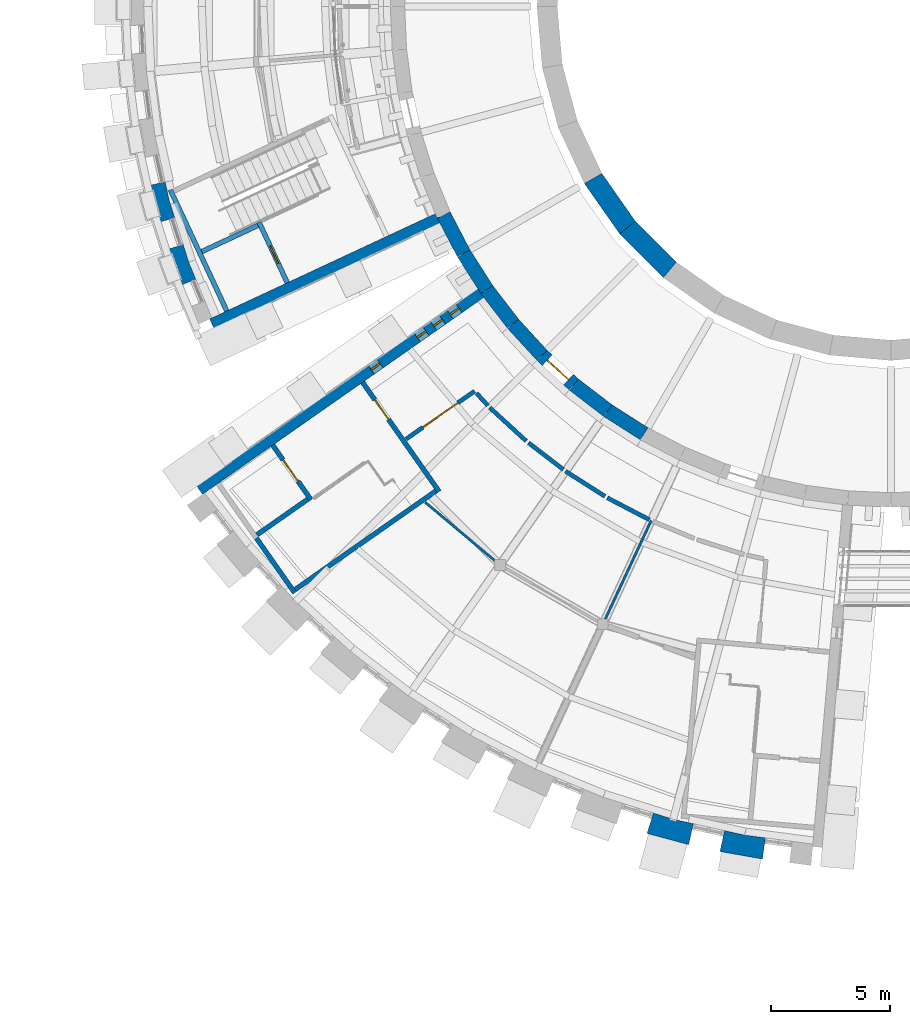
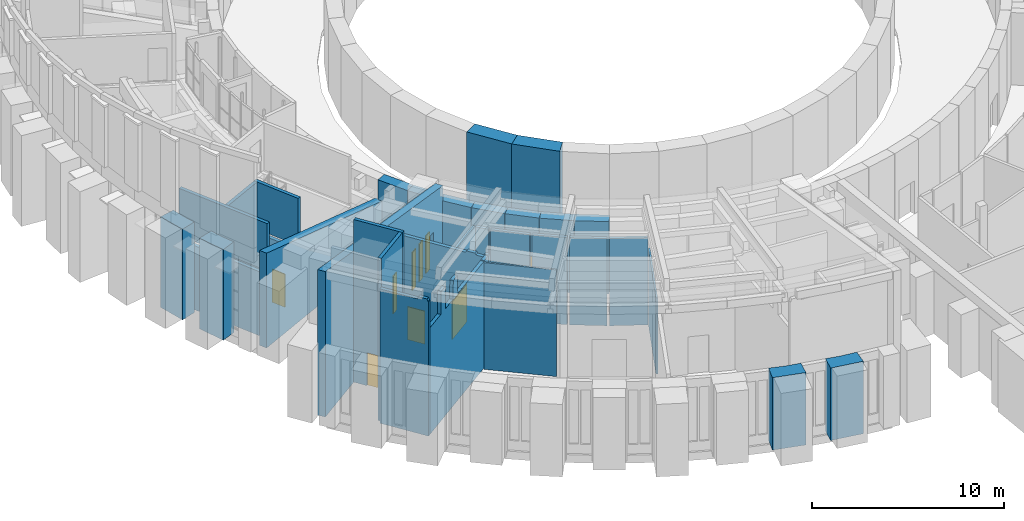
# One storey, part 37 of 66: 34 walls, 5 doors, 4 windows, 9 openings.
"""IFC4 building model written with IfcOpenShell, lengths in metres."""

from ifc_helpers import new_model, si_unit, direction, frame, frame_2d, origin, place, context, subcontext, project, spatial, polyline, rectangle, outline, extrude, material, layer, layer_set, type_object, element, fill, save


model = new_model("IFC4")

# Units and contexts
model_context = context("Model", 3, precision=1e-05, world=origin(), true_north=direction((0.0, 1.0)))
body_context = subcontext(model_context, "Body", "Model", "MODEL_VIEW")
ifc_project = project(units=[si_unit("LENGTHUNIT", "METRE"), si_unit("AREAUNIT", "SQUARE_METRE"), si_unit("VOLUMEUNIT", "CUBIC_METRE"), si_unit("PLANEANGLEUNIT", "RADIAN"), si_unit("MASSUNIT", "GRAM", prefix="KILO")], contexts=[model_context])

# Site, building, storey
site_placement = place(None, origin())
site = spatial("IfcSite", under=ifc_project, at=site_placement, CompositionType="ELEMENT")
building_placement = place(site_placement, origin())
building = spatial("IfcBuilding", under=site, at=building_placement, Name="Volute Hill Aquarium", CompositionType="ELEMENT")
storey_placement = place(building_placement, frame((0.0, 0.0, 4.60009765625)))
storey = spatial("IfcBuildingStorey", under=building, at=storey_placement, Name="L02", CompositionType="ELEMENT", Elevation=4.60009765625)

# Walls
ifc_material_1 = material(Name="Concrete C30/37", Category="concrete")
ifc_layer_1 = layer(ifc_material_1, 0.199951171875)
ifc_layer_set_1 = layer_set([ifc_layer_1], Name="Core wall 200 REI 60")
wall_type_1 = type_object("IfcWallType", Name="Core wall 200 REI 60", PredefinedType="SHEAR", material=ifc_layer_set_1)
wall_1_placement = place(storey_placement, frame((-27.86279296875, -12.77197265625, 0.0), z_axis=(0.0, 0.0, 1.0), x_axis=(-0.422632457081, 0.906301167505, 0.0)))
element("IfcWall", 1, at=wall_1_placement, inside=storey, type_object=wall_type_1, Name="wc/S1-B/L02/out", PredefinedType="SHEAR", context=body_context, shape_type="SweptSolid", body=[
    extrude(rectangle(XDim=5.599853515625, YDim=0.199951171875, at=frame_2d((2.7998046875, 0.0))), origin(), (0.0, 0.0, 1.0), 4.06982421875),
])
wall_2_placement = place(storey_placement, frame((-27.86279296875, -12.77197265625, 4.31982421875), z_axis=(0.0, 0.0, 1.0), x_axis=(-0.422632457081, 0.906301167505, 0.0)))
element("IfcWall", 2, at=wall_2_placement, inside=storey, type_object=wall_type_1, Name="wc/S1-B/L02/out-h", PredefinedType="SHEAR", context=body_context, shape_type="SweptSolid", body=[
    extrude(rectangle(XDim=5.599853515625, YDim=0.199951171875, at=frame_2d((2.7998046875, 0.0))), origin(), (0.0, 0.0, 1.0), 3.0),
])

# Wall, opening, door
wall_3_placement = place(storey_placement, frame((-22.166259765625, -15.76513671875, 0.0), z_axis=(0.0, 0.0, 1.0), x_axis=(0.573599855614, -0.819135645446, 0.0)))
wall_3 = element("IfcWall", 3, at=wall_3_placement, inside=storey, type_object=wall_type_1, Name="wc/S2-A/L02/in", PredefinedType="SHEAR", context=body_context, shape_type="SweptSolid", body=[
    extrude(outline(polyline([(0.0, 0.0), (5.60009765625, 0.0), (5.60009765625, 6.599609375), (5.550048828125, 6.79541015625), (5.349853515625, 6.79541015625), (5.2998046875, 6.599609375), (4.87841796875, 6.599609375), (4.82861328125, 6.701171875), (4.32861328125, 6.701171875), (4.278564453125, 6.599609375), (0.0, 6.599609375), (0.0, 0.0)])), frame((0.0, 0.10009765625, 0.0), z_axis=(0.0, -1.0, 0.0), x_axis=(1.0, 0.0, 0.0)), (0.0, 0.0, 1.0), 0.199951171875),
])
opening_1_placement = place(wall_3_placement, frame((0.89990234375, 0.0, 0.0)))
opening_1 = element("IfcOpeningElement", 4, at=opening_1_placement, cuts=wall_3, Name="Opening D2.02.AS", PredefinedType="OPENING", context=body_context, shape_type="SweptSolid", body=[
    extrude(rectangle(XDim=1.0, YDim=2.10009765625, at=frame_2d((0.5, 1.050048828125))), frame((0.0, 0.10986328125, 0.0), z_axis=(0.0, -1.0, 0.0), x_axis=(1.0, 0.0, 0.0)), (0.0, 0.0, 1.0), 0.219970703125),
])
ifc_material_2 = material(Name="Timber, fire-rated", Category="wood")
door_type_1 = type_object("IfcDoorType", Name="Door 1000 x 2100 single EI1 30", OperationType="SINGLE_SWING_LEFT", PredefinedType="DOOR", material=ifc_material_2)
door_1_placement = place(opening_1_placement, origin())
door_1 = element("IfcDoor", 5, at=door_1_placement, inside=storey, type_object=door_type_1, Name="d/S2-A/L02/st", OperationType="SINGLE_SWING_RIGHT", OverallHeight=2.10009765625, OverallWidth=1.0, PredefinedType="DOOR", context=body_context, shape_type="SweptSolid", body=[
    extrude(rectangle(XDim=1.0, YDim=2.10009765625, at=frame_2d((0.5, 1.050048828125))), frame((0.0, 0.02490234375, 0.0), z_axis=(0.0, -1.0, 0.0), x_axis=(1.0, 0.0, 0.0)), (0.0, 0.0, 1.0), 0.050048828125),
])
fill(opening_1, door_1)

# Walls
wall_4_placement = place(storey_placement, frame((-19.093505859375, -20.327880859375, 0.0), z_axis=(0.0, 0.0, 1.0), x_axis=(-0.819161821637, -0.573562472597, 0.0)))
element("IfcWall", 6, at=wall_4_placement, inside=storey, type_object=wall_type_1, Name="wc/S2-A/L02/side", PredefinedType="SHEAR", context=body_context, shape_type="SweptSolid", body=[
    extrude(outline(polyline([(0.0, 0.0), (7.199951171875, 0.0), (7.199951171875, 6.7763671875), (5.8935546875, 6.7763671875), (5.843505859375, 8.213623046875), (5.343505859375, 8.213623046875), (5.293701171875, 6.7763671875), (4.397216796875, 6.7763671875), (4.34716796875, 7.956787109375), (3.84716796875, 7.956787109375), (3.797119140625, 6.7763671875), (0.577392578125, 6.7763671875), (0.52734375, 6.79541015625), (0.050048828125, 6.79541015625), (0.0, 6.7763671875), (0.0, 0.0)])), frame((0.0, 0.10009765625, 0.0), z_axis=(0.0, -1.0, 0.0), x_axis=(1.0, 0.0, 0.0)), (0.0, 0.0, 1.0), 0.199951171875),
])
wall_5_placement = place(storey_placement, frame((-26.621826171875, -22.30322265625, 0.0), z_axis=(0.0, 0.0, 1.0), x_axis=(0.573591086599, -0.819141785879, 0.0)))
element("IfcWall", 7, at=wall_5_placement, inside=storey, type_object=wall_type_1, Name="wc/S2-A/L02/out-b", PredefinedType="SHEAR", context=body_context, shape_type="SweptSolid", body=[
    extrude(outline(polyline([(0.0, 0.0), (2.7998046875, 0.0), (2.800048828125, 8.53515625), (2.7646484375, 8.53515625), (2.714599609375, 8.6865234375), (2.214599609375, 8.6865234375), (2.164794921875, 8.53515625), (0.0, 8.53515625), (0.0, 0.0)])), frame((0.0, 0.10009765625, 0.0), z_axis=(0.0, -1.0, 0.0), x_axis=(1.0, 0.0, 0.0)), (0.0, 0.0, 1.0), 0.199951171875),
])

# Wall, opening, door
ifc_material_3 = material(Name="Gypsum board on steel studs", Category="steel")
ifc_layer_2 = layer(ifc_material_3, 0.175048828125)
ifc_layer_set_2 = layer_set([ifc_layer_2], Name="Corridor partition 175 EI 60")
wall_type_2 = type_object("IfcWallType", Name="Corridor partition 175 EI 60", PredefinedType="PARTITIONING", material=ifc_layer_set_2)
wall_6_placement = place(storey_placement, frame((-17.464599609375, -16.135498046875, 0.0), z_axis=(0.0, 0.0, 1.0), x_axis=(-0.819192694316, -0.573518377717, 0.0)))
wall_6 = element("IfcWall", 8, at=wall_6_placement, inside=storey, type_object=wall_type_2, Name="pw/S2/L02/006", PredefinedType="PARTITIONING", context=body_context, shape_type="SweptSolid", body=[
    extrude(rectangle(XDim=3.509033203125, YDim=0.175048828125, at=frame_2d((1.75439453125, 0.0))), origin(), (0.0, 0.0, 1.0), 5.552001953125),
])
opening_2_placement = place(wall_6_placement, frame((0.8544921875, 0.0, 0.0)))
opening_2 = element("IfcOpeningElement", 9, at=opening_2_placement, cuts=wall_6, Name="Opening D2.02.01", PredefinedType="OPENING", context=body_context, shape_type="SweptSolid", body=[
    extrude(rectangle(XDim=1.800048828125, YDim=2.39990234375, at=frame_2d((0.89990234375, 1.199951171875))), frame((0.0, 0.097412109375, 0.0), z_axis=(0.0, -1.0, 0.0), x_axis=(1.0, 0.0, 0.0)), (0.0, 0.0, 1.0), 0.195068359375),
])
ifc_material_4 = material(Name="Timber, fire-rated", Category="wood")
door_type_2 = type_object("IfcDoorType", Name="Door 1800 x 2400 gallery double EI1 30", OperationType="DOUBLE_DOOR_SINGLE_SWING", PredefinedType="DOOR", material=ifc_material_4)
door_2_placement = place(opening_2_placement, origin())
door_2 = element("IfcDoor", 10, at=door_2_placement, inside=storey, type_object=door_type_2, Name="d/S2/L02/01", OperationType="SINGLE_SWING_LEFT", OverallHeight=2.39990234375, OverallWidth=1.800048828125, PredefinedType="DOOR", context=body_context, shape_type="SweptSolid", body=[
    extrude(rectangle(XDim=1.800048828125, YDim=2.39990234375, at=frame_2d((0.89990234375, 1.199951171875))), frame((0.0, 0.02490234375, 0.0), z_axis=(0.0, -1.0, 0.0), x_axis=(1.0, 0.0, 0.0)), (0.0, 0.0, 1.0), 0.050048828125),
])
fill(opening_2, door_2)

# Walls
wall_7_placement = place(storey_placement, frame((-15.29833984375, -18.23193359375, 0.0), z_axis=(0.0, 0.0, 1.0), x_axis=(-0.737241988031, 0.675628782013, 0.0)))
element("IfcWall", 11, at=wall_7_placement, inside=storey, type_object=wall_type_2, Name="pw/S2/L02/008", PredefinedType="PARTITIONING", context=body_context, shape_type="SweptSolid", body=[
    extrude(rectangle(XDim=2.076416015625, YDim=0.175048828125, at=frame_2d((1.0380859375, 0.0))), origin(), (0.0, 0.0, 1.0), 5.54150390625),
])
wall_8_placement = place(storey_placement, frame((-10.129150390625, -21.533203125, 0.0), z_axis=(0.0, 0.0, 1.0), x_axis=(-0.886994444557, 0.461780094119, 0.0)))
element("IfcWall", 12, at=wall_8_placement, inside=storey, type_object=wall_type_2, Name="pw/S2/L02/009", PredefinedType="PARTITIONING", context=body_context, shape_type="SweptSolid", body=[
    extrude(rectangle(XDim=1.996337890625, YDim=0.175048828125, at=frame_2d((0.998046875, 0.0))), origin(), (0.0, 0.0, 1.0), 5.54248046875),
])
wall_9_placement = place(storey_placement, frame((-11.9990234375, -20.54833984375, 0.0), z_axis=(0.0, 0.0, 1.0), x_axis=(-0.843394521309, 0.537294780754, 0.0)))
element("IfcWall", 13, at=wall_9_placement, inside=storey, type_object=wall_type_2, Name="pw/S2/L02/011", PredefinedType="PARTITIONING", context=body_context, shape_type="SweptSolid", body=[
    extrude(rectangle(XDim=1.958984375, YDim=0.175048828125, at=frame_2d((0.9794921875, 0.0))), origin(), (0.0, 0.0, 1.0), 5.54150390625),
])
wall_10_placement = place(storey_placement, frame((-13.744384765625, -19.42431640625, 0.0), z_axis=(0.0, 0.0, 1.0), x_axis=(-0.793348048489, 0.608768325357, 0.0)))
element("IfcWall", 14, at=wall_10_placement, inside=storey, type_object=wall_type_2, Name="pw/S2/L02/013", PredefinedType="PARTITIONING", context=body_context, shape_type="SweptSolid", body=[
    extrude(rectangle(XDim=1.841064453125, YDim=0.175048828125, at=frame_2d((0.92041015625, 0.0))), origin(), (0.0, 0.0, 1.0), 5.54296875),
])
wall_11_placement = place(storey_placement, frame((-16.908447265625, -16.742431640625, 0.0), z_axis=(0.0, 0.0, 1.0), x_axis=(-0.675834256002, 0.737053633337, 0.0)))
element("IfcWall", 15, at=wall_11_placement, inside=storey, type_object=wall_type_2, Name="pw/S2/L02/015", PredefinedType="PARTITIONING", context=body_context, shape_type="SweptSolid", body=[
    extrude(rectangle(XDim=0.705810546875, YDim=0.175048828125, at=frame_2d((0.35302734375, 0.0))), origin(), (0.0, 0.0, 1.0), 5.542724609375),
])
ifc_material_5 = material(Name="Concrete C35/45", Category="concrete")
ifc_layer_3 = layer(ifc_material_5, 0.60009765625)
ifc_layer_set_3 = layer_set([ifc_layer_3], Name="Drum wall C35/45 600")
wall_type_3 = type_object("IfcWallType", Name="Drum wall C35/45 600", PredefinedType="SHEAR", material=ifc_layer_set_3)
for number, where, z_axis, x_axis, name in (
    (16, (-18.760498046875, -8.748291015625, 0.0), (0.0, 0.0, 1.0), (0.461701764231, -0.887035219654, 0.0), "sw/DR/L02/41"),
    (17, (-17.9267578125, -10.35009765625, 0.0), (0.0, 0.0, 1.0), (0.537391510251, -0.843332890803, 0.0), "sw/DR/L02/42"),
):
    element("IfcWall", number, at=place(storey_placement, frame(where, z_axis=z_axis, x_axis=x_axis)), inside=storey, type_object=wall_type_3, Name=name, PredefinedType="SHEAR", context=body_context, shape_type="SweptSolid", body=[
        extrude(rectangle(XDim=1.805908203125, YDim=0.60009765625, at=frame_2d((0.90283203125, 0.0))), origin(), (0.0, 0.0, 1.0), 4.599853515625),
    ])
wall_12_placement = place(storey_placement, frame((-16.956298828125, -11.873046875, 0.0), z_axis=(0.0, 0.0, 1.0), x_axis=(0.608704004289, -0.793397400526, 0.0)))
element("IfcWall", 18, at=wall_12_placement, inside=storey, type_object=wall_type_3, Name="sw/DR/L02/43", PredefinedType="SHEAR", context=body_context, shape_type="SweptSolid", body=[
    extrude(rectangle(XDim=1.8056640625, YDim=0.60009765625, at=frame_2d((0.90283203125, 0.0))), origin(), (0.0, 0.0, 1.0), 4.599853515625),
])
wall_13_placement = place(storey_placement, frame((-15.857177734375, -13.3056640625, 0.0), z_axis=(0.0, 0.0, 1.0), x_axis=(0.675540954152, -0.737322466268, 0.0)))
element("IfcWall", 19, at=wall_13_placement, inside=storey, type_object=wall_type_3, Name="sw/DR/L02/44", PredefinedType="SHEAR", context=body_context, shape_type="SweptSolid", body=[
    extrude(rectangle(XDim=1.805908203125, YDim=0.60009765625, at=frame_2d((0.90283203125, 0.0))), origin(), (0.0, 0.0, 1.0), 4.599853515625),
])

# Wall, opening, door
wall_14_placement = place(storey_placement, frame((-14.63720703125, -14.63720703125, 0.0), z_axis=(0.0, 0.0, 1.0), x_axis=(0.737322466268, -0.675540954152, 0.0)))
wall_14 = element("IfcWall", 20, at=wall_14_placement, inside=storey, type_object=wall_type_3, Name="sw/DR/L02/45", PredefinedType="SHEAR", context=body_context, shape_type="SweptSolid", body=[
    extrude(rectangle(XDim=1.805908203125, YDim=0.60009765625, at=frame_2d((0.90283203125, 0.0))), origin(), (0.0, 0.0, 1.0), 4.599853515625),
])
opening_3_placement = place(wall_14_placement, frame((0.302978515625, 0.0, 0.0)))
opening_3 = element("IfcOpeningElement", 21, at=opening_3_placement, cuts=wall_14, Name="Opening D2.02.R1", PredefinedType="OPENING", context=body_context, shape_type="SweptSolid", body=[
    extrude(rectangle(XDim=1.199951171875, YDim=2.10009765625, at=frame_2d((0.60009765625, 1.050048828125))), frame((0.0, 0.31005859375, 0.0), z_axis=(0.0, -1.0, 0.0), x_axis=(1.0, 0.0, 0.0)), (0.0, 0.0, 1.0), 0.6201171875),
])
ifc_material_6 = material(Name="Timber", Category="wood")
door_type_3 = type_object("IfcDoorType", Name="Door 1200 x 2100 drum double", OperationType="DOUBLE_DOOR_SINGLE_SWING", PredefinedType="DOOR", material=ifc_material_6)
door_3_placement = place(opening_3_placement, origin())
door_3 = element("IfcDoor", 22, at=door_3_placement, inside=storey, type_object=door_type_3, Name="d/S2/L02/dr1", OperationType="SINGLE_SWING_LEFT", OverallHeight=2.10009765625, OverallWidth=1.199951171875, PredefinedType="DOOR", context=body_context, shape_type="SweptSolid", body=[
    extrude(rectangle(XDim=1.199951171875, YDim=2.10009765625, at=frame_2d((0.60009765625, 1.050048828125))), frame((0.0, 0.02490234375, 0.0), z_axis=(0.0, -1.0, 0.0), x_axis=(1.0, 0.0, 0.0)), (0.0, 0.0, 1.0), 0.050048828125),
])
fill(opening_3, door_3)

# Walls
wall_15_placement = place(storey_placement, frame((-13.3056640625, -15.857177734375, 0.0), z_axis=(0.0, 0.0, 1.0), x_axis=(0.793397400526, -0.608704004289, 0.0)))
element("IfcWall", 23, at=wall_15_placement, inside=storey, type_object=wall_type_3, Name="sw/DR/L02/46", PredefinedType="SHEAR", context=body_context, shape_type="SweptSolid", body=[
    extrude(rectangle(XDim=1.8056640625, YDim=0.60009765625, at=frame_2d((0.90283203125, 0.0))), origin(), (0.0, 0.0, 1.0), 4.599853515625),
])
wall_16_placement = place(storey_placement, frame((-11.873046875, -16.956298828125, 0.0), z_axis=(0.0, 0.0, 1.0), x_axis=(0.843332890803, -0.537391510251, 0.0)))
element("IfcWall", 24, at=wall_16_placement, inside=storey, type_object=wall_type_3, Name="sw/DR/L02/47", PredefinedType="SHEAR", context=body_context, shape_type="SweptSolid", body=[
    extrude(rectangle(XDim=1.805908203125, YDim=0.60009765625, at=frame_2d((0.90283203125, 0.0))), origin(), (0.0, 0.0, 1.0), 4.599853515625),
])
ifc_material_7 = material(Name="Concrete C35/45", Category="concrete")
ifc_layer_4 = layer(ifc_material_7, 0.449951171875)
ifc_layer_set_4 = layer_set([ifc_layer_4], Name="End wall 450 C35/45")
wall_type_4 = type_object("IfcWallType", Name="End wall 450 C35/45", PredefinedType="SHEAR", material=ifc_layer_set_4)
wall_17_placement = place(storey_placement, frame((-18.931396484375, -8.85546875, 0.0), z_axis=(0.0, 0.0, 1.0), x_axis=(-0.906311980617, -0.422609268462, 0.0)))
element("IfcWall", 25, at=wall_17_placement, inside=storey, type_object=wall_type_4, Name="sw/S1/L02/endB", PredefinedType="SHEAR", context=body_context, shape_type="SweptSolid", body=[
    extrude(outline(polyline([(0.0, 0.0), (10.5498046875, 0.0), (10.550048828125, 6.0283203125), (9.231201171875, 5.689208984375), (7.91259765625, 5.35009765625), (6.59375, 5.010986328125), (5.27490234375, 4.672119140625), (3.956298828125, 4.3330078125), (2.637451171875, 3.994140625), (1.31884765625, 3.655029296875), (0.0, 3.31591796875), (0.0, 0.0)])), frame((0.0, 0.22509765625, 0.0), z_axis=(0.0, -1.0, 0.0), x_axis=(1.0, 0.0, 0.0)), (0.0, 0.0, 1.0), 0.449951171875),
])

# Wall, openings, windows
wall_18_placement = place(storey_placement, frame((-17.134521484375, -11.96728515625, 0.0), z_axis=(0.0, 0.0, 1.0), x_axis=(-0.819150437903, -0.573578730501, 0.0)))
wall_18 = element("IfcWall", 26, at=wall_18_placement, inside=storey, type_object=wall_type_4, Name="sw/S2/L02/endA", PredefinedType="SHEAR", context=body_context, shape_type="SweptSolid", body=[
    extrude(outline(polyline([(0.0, 0.0), (14.5, 0.0), (14.5, 9.24365234375), (12.6875, 8.777587890625), (10.875, 8.311767578125), (9.0625, 7.845703125), (7.25, 7.3798828125), (5.4375, 6.913818359375), (3.625, 6.447998046875), (1.8125, 5.98193359375), (0.0, 5.51611328125), (0.0, 0.0)])), frame((0.0, 0.22509765625, 0.0), z_axis=(0.0, -1.0, 0.0), x_axis=(1.0, 0.0, 0.0)), (0.0, 0.0, 1.0), 0.449951171875),
])
opening_4_placement = place(wall_18_placement, frame((1.20703125, 0.0, 0.89990234375)))
opening_4 = element("IfcOpeningElement", 27, at=opening_4_placement, cuts=wall_18, Name="Opening W8", PredefinedType="OPENING", context=body_context, shape_type="SweptSolid", body=[
    extrude(rectangle(XDim=0.449951171875, YDim=2.39990234375, at=frame_2d((0.22509765625, 1.199951171875))), frame((0.0, 0.23486328125, 0.0), z_axis=(0.0, -1.0, 0.0), x_axis=(1.0, 0.0, 0.0)), (0.0, 0.0, 1.0), 0.469970703125),
])
opening_5_placement = place(wall_18_placement, frame((2.050048828125, 0.0, 0.89990234375)))
opening_5 = element("IfcOpeningElement", 28, at=opening_5_placement, cuts=wall_18, Name="Opening W8", PredefinedType="OPENING", context=body_context, shape_type="SweptSolid", body=[
    extrude(rectangle(XDim=0.449951171875, YDim=2.39990234375, at=frame_2d((0.22509765625, 1.199951171875))), frame((0.0, 0.23486328125, 0.0), z_axis=(0.0, -1.0, 0.0), x_axis=(1.0, 0.0, 0.0)), (0.0, 0.0, 1.0), 0.469970703125),
])
opening_6_placement = place(wall_18_placement, frame((2.89306640625, 0.0, 0.89990234375)))
opening_6 = element("IfcOpeningElement", 29, at=opening_6_placement, cuts=wall_18, Name="Opening W8", PredefinedType="OPENING", context=body_context, shape_type="SweptSolid", body=[
    extrude(rectangle(XDim=0.449951171875, YDim=2.39990234375, at=frame_2d((0.22509765625, 1.199951171875))), frame((0.0, 0.23486328125, 0.0), z_axis=(0.0, -1.0, 0.0), x_axis=(1.0, 0.0, 0.0)), (0.0, 0.0, 1.0), 0.469970703125),
])
opening_7_placement = place(wall_18_placement, frame((5.2470703125, 0.0, 0.89990234375)))
opening_7 = element("IfcOpeningElement", 30, at=opening_7_placement, cuts=wall_18, Name="Opening W8", PredefinedType="OPENING", context=body_context, shape_type="SweptSolid", body=[
    extrude(rectangle(XDim=0.449951171875, YDim=2.39990234375, at=frame_2d((0.22509765625, 1.199951171875))), frame((0.0, 0.23486328125, 0.0), z_axis=(0.0, -1.0, 0.0), x_axis=(1.0, 0.0, 0.0)), (0.0, 0.0, 1.0), 0.469970703125),
])
ifc_material_8 = material(Name="Aluminium and glass", Category="aluminium")
window_type = type_object("IfcWindowType", Name="End wall window 450x2400", PartitioningType="SINGLE_PANEL", PredefinedType="WINDOW", material=ifc_material_8)
window_1_placement = place(opening_4_placement, origin())
window_1 = element("IfcWindow", 31, at=window_1_placement, inside=storey, type_object=window_type, Name="End wall window S2A L02 1.1", OverallHeight=2.39990234375, OverallWidth=0.449951171875, PartitioningType="SINGLE_PANEL", PredefinedType="WINDOW", context=body_context, shape_type="SweptSolid", body=[
    extrude(rectangle(XDim=0.449951171875, YDim=2.39990234375, at=frame_2d((0.22509765625, 1.199951171875))), frame((0.0, 0.030029296875, 0.0), z_axis=(0.0, -1.0, 0.0), x_axis=(1.0, 0.0, 0.0)), (0.0, 0.0, 1.0), 0.06005859375),
])
fill(opening_4, window_1)
window_2_placement = place(opening_5_placement, origin())
window_2 = element("IfcWindow", 32, at=window_2_placement, inside=storey, type_object=window_type, Name="End wall window S2A L02 1.2", OverallHeight=2.39990234375, OverallWidth=0.449951171875, PartitioningType="SINGLE_PANEL", PredefinedType="WINDOW", context=body_context, shape_type="SweptSolid", body=[
    extrude(rectangle(XDim=0.449951171875, YDim=2.39990234375, at=frame_2d((0.22509765625, 1.199951171875))), frame((0.0, 0.030029296875, 0.0), z_axis=(0.0, -1.0, 0.0), x_axis=(1.0, 0.0, 0.0)), (0.0, 0.0, 1.0), 0.06005859375),
])
fill(opening_5, window_2)
window_3_placement = place(opening_6_placement, origin())
window_3 = element("IfcWindow", 33, at=window_3_placement, inside=storey, type_object=window_type, Name="End wall window S2A L02 1.3", OverallHeight=2.39990234375, OverallWidth=0.449951171875, PartitioningType="SINGLE_PANEL", PredefinedType="WINDOW", context=body_context, shape_type="SweptSolid", body=[
    extrude(rectangle(XDim=0.449951171875, YDim=2.39990234375, at=frame_2d((0.22509765625, 1.199951171875))), frame((0.0, 0.030029296875, 0.0), z_axis=(0.0, -1.0, 0.0), x_axis=(1.0, 0.0, 0.0)), (0.0, 0.0, 1.0), 0.06005859375),
])
fill(opening_6, window_3)
window_4_placement = place(opening_7_placement, origin())
window_4 = element("IfcWindow", 34, at=window_4_placement, inside=storey, type_object=window_type, Name="End wall window S2A L02 2.1", OverallHeight=2.39990234375, OverallWidth=0.449951171875, PartitioningType="SINGLE_PANEL", PredefinedType="WINDOW", context=body_context, shape_type="SweptSolid", body=[
    extrude(rectangle(XDim=0.449951171875, YDim=2.39990234375, at=frame_2d((0.22509765625, 1.199951171875))), frame((0.0, 0.030029296875, 0.0), z_axis=(0.0, -1.0, 0.0), x_axis=(1.0, 0.0, 0.0)), (0.0, 0.0, 1.0), 0.06005859375),
])
fill(opening_7, window_4)

# Walls
ifc_material_9 = material(Name="Gypsum board on steel studs", Category="steel")
ifc_layer_5 = layer(ifc_material_9, 0.10009765625)
ifc_layer_set_5 = layer_set([ifc_layer_5], Name="Light partition 100")
wall_type_5 = type_object("IfcWallType", Name="Light partition 100", PredefinedType="PARTITIONING", material=ifc_layer_set_5)
wall_19_placement = place(storey_placement, frame((-10.058349609375, -21.570068359375, 0.0), z_axis=(0.0, 0.0, 1.0), x_axis=(-0.422612881725, -0.90631029576, 0.0)))
element("IfcWall", 35, at=wall_19_placement, inside=storey, type_object=wall_type_5, Name="pw/S2/L02/002", PredefinedType="PARTITIONING", context=body_context, shape_type="SweptSolid", body=[
    extrude(rectangle(XDim=4.560302734375, YDim=0.10009765625, at=frame_2d((2.2802734375, 0.0))), origin(), (0.0, 0.0, 1.0), 4.82177734375),
])
wall_20_placement = place(storey_placement, frame((-16.588134765625, -23.2734375, 0.0), z_axis=(0.0, 0.0, 1.0), x_axis=(-0.766065667782, 0.64276231427, 0.0)))
element("IfcWall", 36, at=wall_20_placement, inside=storey, type_object=wall_type_5, Name="pw/S2/L02/005", PredefinedType="PARTITIONING", context=body_context, shape_type="SweptSolid", body=[
    extrude(rectangle(XDim=3.85107421875, YDim=0.10009765625, at=frame_2d((1.925537109375, 0.0))), origin(), (0.0, 0.0, 1.0), 6.775390625),
])
ifc_material_10 = material(Name="Precast concrete C40/50", Category="concrete")
ifc_layer_6 = layer(ifc_material_10, 0.89990234375)
ifc_layer_set_6 = layer_set([ifc_layer_6], Name="Outer pier precast concrete C40/50 900")
wall_type_6 = type_object("IfcWallType", Name="Outer pier precast concrete C40/50 900", PredefinedType="NOTDEFINED", material=ifc_layer_set_6)
wall_21_placement = place(storey_placement, origin())
element("IfcWall", 37, at=wall_21_placement, inside=storey, type_object=wall_type_6, Name="Outer pier OWP S1 L02 9", PredefinedType="NOTDEFINED", context=body_context, shape_type="SweptSolid", body=[
    extrude(outline(polyline([(-30.4482421875, -7.361083984375), (-31.326904296875, -7.555908203125), (-30.90771484375, -9.119873046875), (-30.049560546875, -8.84912109375), (-30.281494140625, -8.114013671875), (-30.4482421875, -7.361083984375)])), origin(), (0.0, 0.0, 1.0), 5.760009765625),
])
wall_22_placement = place(storey_placement, origin())
element("IfcWall", 38, at=wall_22_placement, inside=storey, type_object=wall_type_6, Name="Outer pier OWP S1 L02 10", PredefinedType="NOTDEFINED", context=body_context, shape_type="SweptSolid", body=[
    extrude(outline(polyline([(-29.690673828125, -9.98681640625), (-30.549072265625, -10.257568359375), (-29.995361328125, -11.77880859375), (-29.163818359375, -11.4345703125), (-29.458984375, -10.72216796875), (-29.690673828125, -9.98681640625)])), origin(), (0.0, 0.0, 1.0), 5.760009765625),
])
wall_23_placement = place(storey_placement, origin())
element("IfcWall", 39, at=wall_23_placement, inside=storey, type_object=wall_type_6, Name="Outer pier OWP S2 L02 9", PredefinedType="NOTDEFINED", context=body_context, shape_type="SweptSolid", body=[
    extrude(outline(polyline([(-9.965087890625, -33.83544921875), (-10.23583984375, -34.69384765625), (-8.482421875, -35.16357421875), (-8.28759765625, -34.284912109375), (-9.13623046875, -34.0966796875), (-9.965087890625, -33.83544921875)])), origin(), (0.0, 0.0, 1.0), 4.599853515625),
])
wall_24_placement = place(storey_placement, origin())
element("IfcWall", 40, at=wall_24_placement, inside=storey, type_object=wall_type_6, Name="Outer pier OWP S2 L02 10", PredefinedType="NOTDEFINED", context=body_context, shape_type="SweptSolid", body=[
    extrude(outline(polyline([(-6.978271484375, -34.5751953125), (-7.173095703125, -35.453857421875), (-5.385498046875, -35.76904296875), (-5.267822265625, -34.876708984375), (-6.129638671875, -34.76318359375), (-6.978271484375, -34.5751953125)])), origin(), (0.0, 0.0, 1.0), 4.599853515625),
])

# Wall, opening, door
ifc_material_11 = material(Name="Masonry blockwork", Category="masonry")
ifc_layer_7 = layer(ifc_material_11, 0.199951171875)
ifc_layer_set_7 = layer_set([ifc_layer_7], Name="Riser wall 200 EI 60")
wall_type_7 = type_object("IfcWallType", Name="Riser wall 200 EI 60", PredefinedType="SOLIDWALL", material=ifc_layer_set_7)
wall_25_placement = place(storey_placement, frame((-25.3251953125, -11.588623046875, 0.0), z_axis=(0.0, 0.0, 1.0), x_axis=(-0.422632457081, 0.906301167505, 0.0)))
wall_25 = element("IfcWall", 41, at=wall_25_placement, inside=storey, type_object=wall_type_7, Name="wc/S1-B/L02/front", PredefinedType="SOLIDWALL", context=body_context, shape_type="SweptSolid", body=[
    extrude(rectangle(XDim=2.800048828125, YDim=0.199951171875, at=frame_2d((1.39990234375, 0.0))), origin(), (0.0, 0.0, 1.0), 4.06982421875),
])
opening_8_placement = place(wall_25_placement, frame((0.89990234375, 0.0, 0.0)))
opening_8 = element("IfcOpeningElement", 42, at=opening_8_placement, cuts=wall_25, Name="Opening D1.02.BR", PredefinedType="OPENING", context=body_context, shape_type="SweptSolid", body=[
    extrude(rectangle(XDim=0.800048828125, YDim=2.10009765625, at=frame_2d((0.39990234375, 1.050048828125))), frame((0.0, 0.10986328125, 0.0), z_axis=(0.0, -1.0, 0.0), x_axis=(1.0, 0.0, 0.0)), (0.0, 0.0, 1.0), 0.219970703125),
])
ifc_material_12 = material(Name="Steel, fire-rated", Category="steel")
door_type_4 = type_object("IfcDoorType", Name="Door 800 x 2100 riser EI1 30", OperationType="SINGLE_SWING_LEFT", PredefinedType="DOOR", material=ifc_material_12)
door_4_placement = place(opening_8_placement, origin())
door_4 = element("IfcDoor", 43, at=door_4_placement, inside=storey, type_object=door_type_4, Name="d/S1-B/L02/rs", OperationType="SINGLE_SWING_LEFT", OverallHeight=2.10009765625, OverallWidth=0.800048828125, PredefinedType="DOOR", context=body_context, shape_type="SweptSolid", body=[
    extrude(rectangle(XDim=0.800048828125, YDim=2.10009765625, at=frame_2d((0.39990234375, 1.050048828125))), frame((0.0, 0.02490234375, 0.0), z_axis=(0.0, -1.0, 0.0), x_axis=(1.0, 0.0, 0.0)), (0.0, 0.0, 1.0), 0.050048828125),
])
fill(opening_8, door_4)

# Walls
wall_26_placement = place(storey_placement, frame((-25.3251953125, -11.588623046875, 4.31982421875), z_axis=(0.0, 0.0, 1.0), x_axis=(-0.422632457081, 0.906301167505, 0.0)))
element("IfcWall", 44, at=wall_26_placement, inside=storey, type_object=wall_type_7, Name="wc/S1-B/L02/front-h", PredefinedType="SOLIDWALL", context=body_context, shape_type="SweptSolid", body=[
    extrude(rectangle(XDim=2.800048828125, YDim=0.199951171875, at=frame_2d((1.39990234375, 0.0))), origin(), (0.0, 0.0, 1.0), 3.0),
])
wall_27_placement = place(storey_placement, frame((-26.556884765625, -9.183837890625, 0.0), z_axis=(0.0, 0.0, 1.0), x_axis=(-0.906300648467, -0.422633570115, 0.0)))
element("IfcWall", 45, at=wall_27_placement, inside=storey, type_object=wall_type_7, Name="wc/S1-B/L02/shaft-side", PredefinedType="SOLIDWALL", context=body_context, shape_type="SweptSolid", body=[
    extrude(rectangle(XDim=2.60009765625, YDim=0.199951171875, at=frame_2d((1.300048828125, 0.0))), origin(), (0.0, 0.0, 1.0), 4.06982421875),
])
wall_28_placement = place(storey_placement, frame((-26.556884765625, -9.183837890625, 4.31982421875), z_axis=(0.0, 0.0, 1.0), x_axis=(-0.906300648467, -0.422633570115, 0.0)))
element("IfcWall", 46, at=wall_28_placement, inside=storey, type_object=wall_type_7, Name="wc/S1-B/L02/shaft-side-h", PredefinedType="SOLIDWALL", context=body_context, shape_type="SweptSolid", body=[
    extrude(rectangle(XDim=2.60009765625, YDim=0.199951171875, at=frame_2d((1.300048828125, 0.0))), origin(), (0.0, 0.0, 1.0), 3.0),
])

# Wall, opening, door
ifc_material_13 = material(Name="Concrete C30/37", Category="concrete")
ifc_layer_8 = layer(ifc_material_13, 0.199951171875)
ifc_layer_set_8 = layer_set([ifc_layer_8], Name="Shaft wall 200 EI 60")
wall_type_8 = type_object("IfcWallType", Name="Shaft wall 200 EI 60", PredefinedType="SOLIDWALL", material=ifc_layer_set_8)
wall_29_placement = place(storey_placement, frame((-25.934326171875, -18.403564453125, 0.0), z_axis=(0.0, 0.0, 1.0), x_axis=(0.573550118428, -0.819170471667, 0.0)))
wall_29 = element("IfcWall", 47, at=wall_29_placement, inside=storey, type_object=wall_type_8, Name="wc/S2-A/L02/front", PredefinedType="SOLIDWALL", context=body_context, shape_type="SweptSolid", body=[
    extrude(rectangle(XDim=2.800048828125, YDim=0.199951171875, at=frame_2d((1.39990234375, 0.0))), origin(), (0.0, 0.0, 1.0), 10.333984375),
])
opening_9_placement = place(wall_29_placement, frame((0.75, 0.0, 0.0)))
opening_9 = element("IfcOpeningElement", 48, at=opening_9_placement, cuts=wall_29, Name="Opening LD2.02.A", PredefinedType="OPENING", context=body_context, shape_type="SweptSolid", body=[
    extrude(rectangle(XDim=1.10009765625, YDim=2.10009765625, at=frame_2d((0.550048828125, 1.050048828125))), frame((0.0, 0.10986328125, 0.0), z_axis=(0.0, -1.0, 0.0), x_axis=(1.0, 0.0, 0.0)), (0.0, 0.0, 1.0), 0.219970703125),
])
ifc_material_14 = material(Name="Stainless steel", Category="steel")
door_type_5 = type_object("IfcDoorType", Name="Lift landing door 1100 x 2100", OperationType="SLIDING_TO_LEFT", PredefinedType="DOOR", material=ifc_material_14)
door_5_placement = place(opening_9_placement, origin())
door_5 = element("IfcDoor", 49, at=door_5_placement, inside=storey, type_object=door_type_5, Name="d/S2-A/L02/ld", OperationType="SLIDING_TO_LEFT", OverallHeight=2.10009765625, OverallWidth=1.10009765625, PredefinedType="DOOR", context=body_context, shape_type="SweptSolid", body=[
    extrude(rectangle(XDim=1.10009765625, YDim=2.10009765625, at=frame_2d((0.550048828125, 1.050048828125))), frame((0.0, 0.02490234375, 0.0), z_axis=(0.0, -1.0, 0.0), x_axis=(1.0, 0.0, 0.0)), (0.0, 0.0, 1.0), 0.050048828125),
])
fill(opening_9, door_5)

# Walls
wall_30_placement = place(storey_placement, frame((-24.467529296875, -20.672607421875, 0.0), z_axis=(0.0, 0.0, 1.0), x_axis=(-0.819178980414, -0.573537965655, 0.0)))
element("IfcWall", 50, at=wall_30_placement, inside=storey, type_object=wall_type_8, Name="wc/S2-A/L02/shaft-side", PredefinedType="SOLIDWALL", context=body_context, shape_type="SweptSolid", body=[
    extrude(rectangle(XDim=2.60009765625, YDim=0.199951171875, at=frame_2d((1.300048828125, 0.0))), origin(), (0.0, 0.0, 1.0), 10.333984375),
])
ifc_material_15 = material(Name="Concrete C40/50", Category="concrete")
ifc_layer_9 = layer(ifc_material_15, 0.85009765625)
ifc_layer_set_9 = layer_set([ifc_layer_9], Name="Tank wall C40/50 850")
wall_type_9 = type_object("IfcWallType", Name="Tank wall C40/50 850", PredefinedType="SHEAR", material=ifc_layer_set_9)
wall_31_placement = place(storey_placement, origin())
element("IfcWall", 51, at=wall_31_placement, inside=storey, type_object=wall_type_9, Name="sw/TK/L02/21", PredefinedType="SHEAR", context=body_context, shape_type="SweptSolid", body=[
    extrude(outline(polyline([(-12.12451171875, -7.0), (-12.860595703125, -7.425048828125), (-11.375732421875, -9.54541015625), (-10.724609375, -8.9990234375), (-12.12451171875, -7.0)])), origin(), (0.0, 0.0, 1.0), 4.599853515625),
])
wall_32_placement = place(storey_placement, origin())
element("IfcWall", 52, at=wall_32_placement, inside=storey, type_object=wall_type_9, Name="sw/TK/L02/22", PredefinedType="SHEAR", context=body_context, shape_type="SweptSolid", body=[
    extrude(outline(polyline([(-10.724609375, -8.9990234375), (-11.375732421875, -9.54541015625), (-9.54541015625, -11.375732421875), (-8.9990234375, -10.724609375), (-10.724609375, -8.9990234375)])), origin(), (0.0, 0.0, 1.0), 4.599853515625),
])

save(model, "model.ifc")
